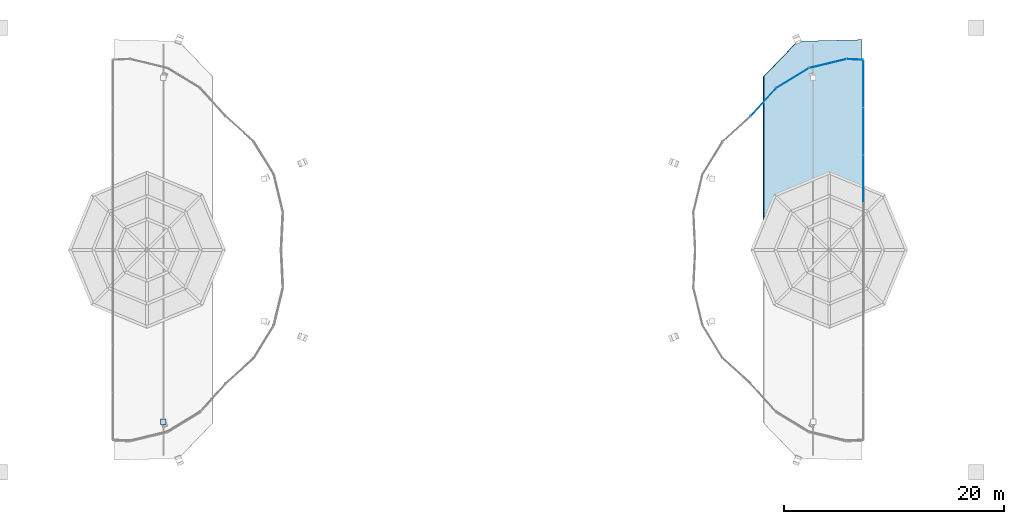
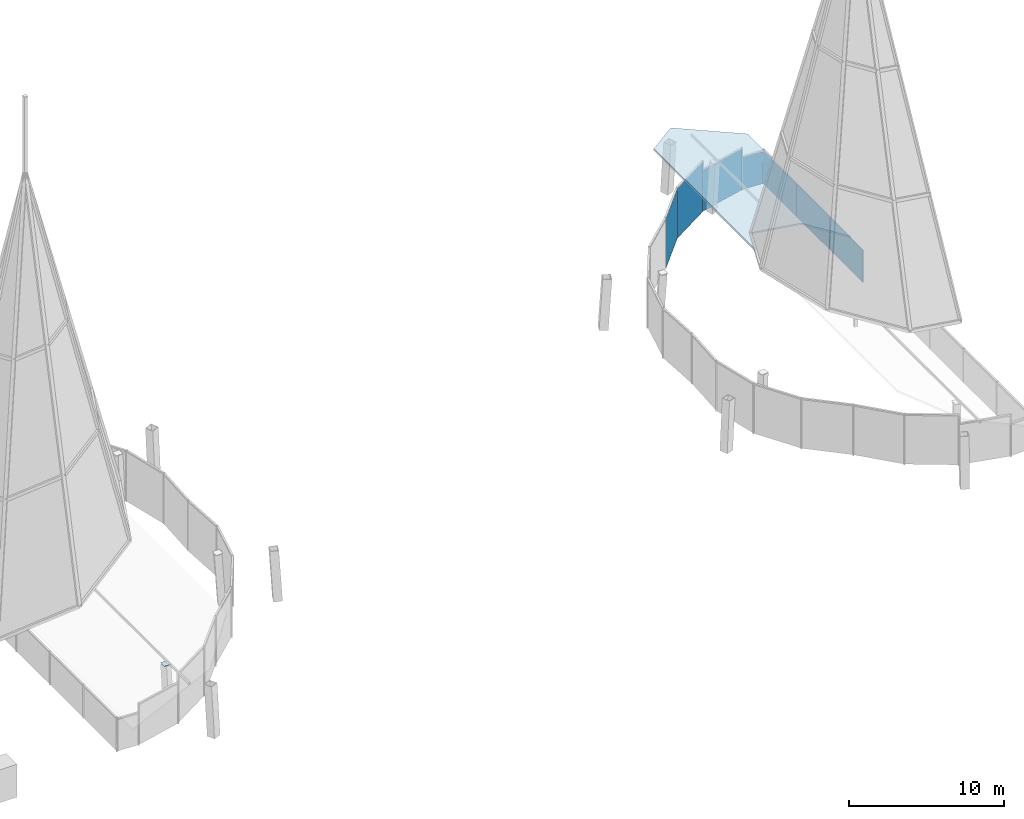
# One storey, part 13 of 16: 9 plates, 1 element without a shape of its own.
"""IFC4 building model written with IfcOpenShell, lengths in metres."""

from ifc_helpers import new_model, si_unit, direction, frame, origin, origin_2d, place, context, subcontext, project, spatial, polyline, rectangle, outline, extrude, material, layer, layer_set, type_object, element, aggregate, save


model = new_model("IFC4")

# Units and contexts
model_context = context("Model", 3, precision=1e-05, world=origin(), true_north=direction((0.0, 1.0)))
body_context = subcontext(model_context, "Body", "Model", "MODEL_VIEW")
ifc_project = project(units=[si_unit("LENGTHUNIT", "METRE"), si_unit("AREAUNIT", "SQUARE_METRE"), si_unit("VOLUMEUNIT", "CUBIC_METRE"), si_unit("PLANEANGLEUNIT", "RADIAN"), si_unit("MASSUNIT", "GRAM", prefix="KILO")], contexts=[model_context])

# Site, building, storey
site_placement = place(None, origin())
site = spatial("IfcSite", under=ifc_project, at=site_placement, CompositionType="ELEMENT")
building_placement = place(site_placement, origin())
building = spatial("IfcBuilding", under=site, at=building_placement, Name="Ogive Gate Towers", CompositionType="ELEMENT")
storey_placement = place(building_placement, frame((0.0, 0.0, 310.0)))
storey = spatial("IfcBuildingStorey", under=building, at=storey_placement, Name="L73", CompositionType="ELEMENT", Elevation=310.0)

# Curtain wall, plates
ifc_material_1 = material(Name="Pale metal aluminium", Category="aluminium")
curtain_wall_type = type_object("IfcCurtainWallType", Name="Crown lean wall", PredefinedType="NOTDEFINED", material=ifc_material_1)
curtain_wall_placement = place(storey_placement, origin())
curtain_wall = element("IfcCurtainWall", 1, at=curtain_wall_placement, inside=storey, type_object=curtain_wall_type, Name="CW5 T2 ECW01", PredefinedType="NOTDEFINED")
ifc_material_2 = material(Name="Clear glass", Category="glass")
ifc_layer_1 = layer(ifc_material_2, 0.028076171875)
ifc_layer_set_1 = layer_set([ifc_layer_1], Name="Crown lean wall glass panel")
plate_type_1 = type_object("IfcPlateType", Name="Crown lean wall glass panel", PredefinedType="CURTAIN_PANEL", material=ifc_layer_set_1)
plate_1_placement = place(storey_placement, frame((25.01220703125, 13.416259765625, -0.2998046875), z_axis=(0.0, 0.0, 1.0), x_axis=(0.672857590776, 0.739772034167, 0.0)))
plate_1 = element("IfcPlate", 2, at=plate_1_placement, type_object=plate_type_1, Name="CW5 glass panel", PredefinedType="CURTAIN_PANEL", context=body_context, shape_type="SweptSolid", body=[
    extrude(rectangle(XDim=3.394287109375, YDim=0.028076171875, at=origin_2d()), origin(), (0.0, 0.0, 1.0), 3.904052734375),
])
plate_2_placement = place(storey_placement, frame((27.665283203125, 15.603271484375, -0.2998046875), z_axis=(0.0, 0.0, 1.0), x_axis=(0.853441658554, 0.521188387673, 0.0)))
plate_2 = element("IfcPlate", 3, at=plate_2_placement, type_object=plate_type_1, Name="CW5 glass panel", PredefinedType="CURTAIN_PANEL", context=body_context, shape_type="SweptSolid", body=[
    extrude(rectangle(XDim=3.448486328125, YDim=0.028076171875, at=origin_2d()), origin(), (0.0, 0.0, 1.0), 3.904052734375),
])
plate_3_placement = place(storey_placement, frame((30.860595703125, 16.9267578125, -0.300048828125), z_axis=(0.0, 0.0, 1.0), x_axis=(0.97201022731, 0.234938540911, 0.0)))
plate_3 = element("IfcPlate", 4, at=plate_3_placement, type_object=plate_type_1, Name="CW5 glass panel", PredefinedType="CURTAIN_PANEL", context=body_context, shape_type="SweptSolid", body=[
    extrude(rectangle(XDim=3.448486328125, YDim=0.028076171875, at=origin_2d()), origin(), (0.0, 0.0, 1.0), 3.22216796875),
])
plate_4_placement = place(storey_placement, frame((33.3193359375, 17.302001953125, -0.2998046875), z_axis=(0.0, 0.0, 1.0), x_axis=(0.998879987102, -0.047315656681, 0.0)))
plate_4 = element("IfcPlate", 5, at=plate_4_placement, type_object=plate_type_1, Name="CW5 glass panel", PredefinedType="CURTAIN_PANEL", context=body_context, shape_type="SweptSolid", body=[
    extrude(rectangle(XDim=1.46484375, YDim=0.028076171875, at=origin_2d()), origin(), (0.0, 0.0, 1.0), 2.539306640625),
])
plate_5_placement = place(storey_placement, frame((34.088134765625, 15.099609375, -0.300048828125), z_axis=(0.0, 0.0, 1.0), x_axis=(0.0, -1.0, 0.0)))
plate_5 = element("IfcPlate", 6, at=plate_5_placement, type_object=plate_type_1, Name="CW5 glass panel", PredefinedType="CURTAIN_PANEL", context=body_context, shape_type="SweptSolid", body=[
    extrude(rectangle(XDim=4.257080078125, YDim=0.028076171875, at=origin_2d()), origin(), (0.0, 0.0, 1.0), 2.583984375),
])
plate_6_placement = place(storey_placement, frame((34.088134765625, 10.791015625, -0.300048828125), z_axis=(0.0, 0.0, 1.0), x_axis=(0.0, -1.0, 0.0)))
plate_6 = element("IfcPlate", 7, at=plate_6_placement, type_object=plate_type_1, Name="CW5 glass panel", PredefinedType="CURTAIN_PANEL", context=body_context, shape_type="SweptSolid", body=[
    extrude(rectangle(XDim=4.2724609375, YDim=0.028076171875, at=origin_2d()), origin(), (0.0, 0.0, 1.0), 2.583984375),
])
plate_7_placement = place(storey_placement, frame((34.088134765625, 6.474609375, -0.300048828125), z_axis=(0.0, 0.0, 1.0), x_axis=(0.0, -1.0, 0.0)))
plate_7 = element("IfcPlate", 8, at=plate_7_placement, type_object=plate_type_1, Name="CW5 glass panel", PredefinedType="CURTAIN_PANEL", context=body_context, shape_type="SweptSolid", body=[
    extrude(rectangle(XDim=4.2724609375, YDim=0.028076171875, at=origin_2d()), origin(), (0.0, 0.0, 1.0), 2.583984375),
])
aggregate(curtain_wall, [plate_1, plate_2, plate_3, plate_4, plate_5, plate_6, plate_7])

# Plates
ifc_layer_2 = layer(ifc_material_2, 0.1201171875)
ifc_layer_set_2 = layer_set([ifc_layer_2], Name="Glazed crown roof")
plate_type_2 = type_object("IfcPlateType", Name="Glazed crown roof", PredefinedType="SHEET", material=ifc_layer_set_2)
plate_8_placement = place(storey_placement, frame((25.047119140625, 15.74658203125, 6.531005859375), z_axis=(0.408365976674, 1.752866e-06, 0.912818289197), x_axis=(0.663295406154, 0.687011913158, -0.296738665081)))
element("IfcPlate", 9, at=plate_8_placement, inside=storey, type_object=plate_type_2, Name="Glazed crown roof", PredefinedType="SHEET", context=body_context, shape_type="SweptSolid", body=[
    extrude(outline(polyline([(0.0, 0.0), (4.674128030478838, 2.7755575615628914e-16), (9.42518160388015, -4.288642161500163), (0.2582018427150172, -13.984471953369502), (-1.270246961386161, -10.835958062038946), (-6.619025477829481, -8.60050744150305), (-9.081438727056115, -9.605353830478528), (0.0, 0.0)])), origin(), (0.0, 0.0, -1.0), 0.1201171875),
])
ifc_material_3 = material(Name="Steel SM460", Category="steel")
ifc_layer_3 = layer(ifc_material_3, 0.030029296875)
ifc_layer_set_3 = layer_set([ifc_layer_3], Name="Hollow section end plate 30")
plate_type_3 = type_object("IfcPlateType", Name="Hollow section end plate 30", PredefinedType="SHEET", material=ifc_layer_set_3)
plate_9_placement = place(storey_placement, frame((-29.771240234375, -15.891357421875, 4.030029296875), z_axis=(0.0, 0.0, 1.0), x_axis=(1.0, 0.0, 0.0)))
element("IfcPlate", 10, at=plate_9_placement, inside=storey, type_object=plate_type_3, Name="End plate", PredefinedType="SHEET", context=body_context, shape_type="SweptSolid", body=[
    extrude(outline(polyline([(0.0, 0.0), (0.5, 0.0), (0.5, 0.5), (0.0, 0.5), (0.0, 0.0)])), origin(), (0.0, 0.0, -1.0), 0.030029296875),
])

save(model, "model.ifc")
